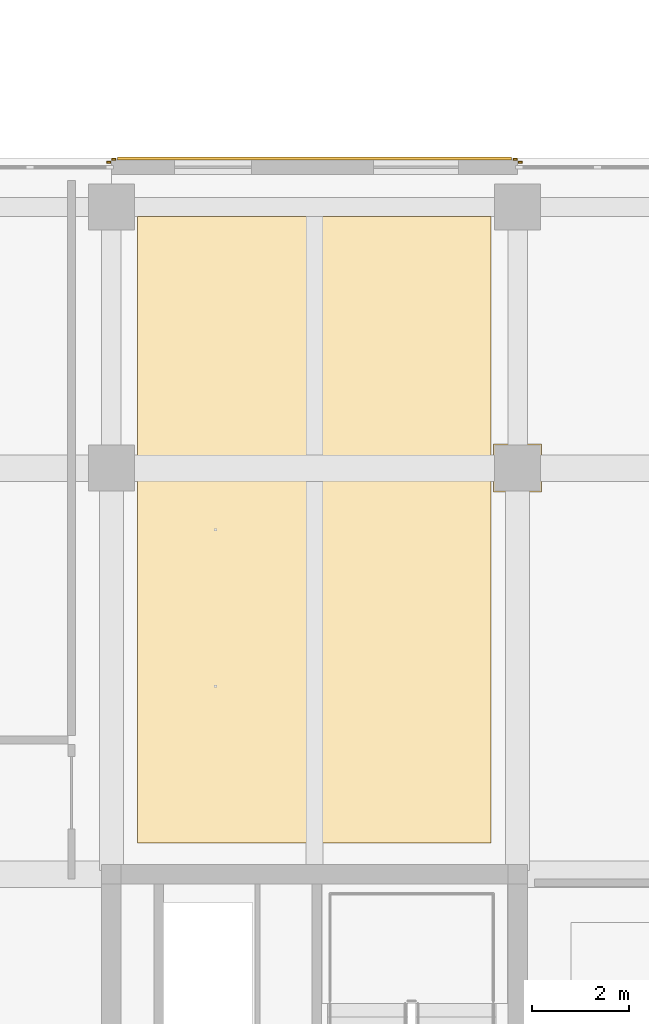
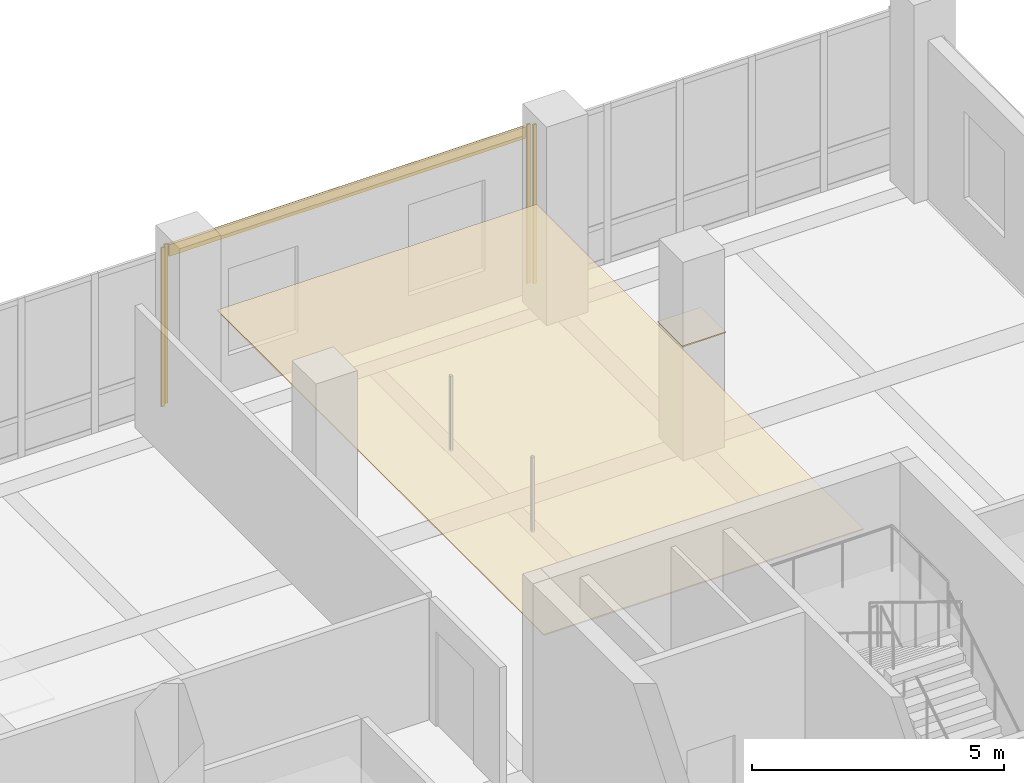
# One storey, part 115 of 128: 6 coverings.
"""IFC4 building model written with IfcOpenShell, lengths in metres."""

import ifcopenshell
import ifcopenshell.guid

model = None  # the IFC model being written
_history = None  # IfcOwnerHistory: only IFC2X3 demands one
_inside = {}  # id of a spatial element -> (the spatial element, [elements in it])
_under = {}  # id of a project, library or spatial element -> (it, [spatial elements below it])
_declared = {}  # id of a project -> (the project, [libraries it declares])
_typed = {}  # id of a type object -> (the type object, [elements of that type])
_made_of = {}  # id of a material, layer set ... -> (it, [elements and type objects made of it])


def new_model(schema):
    """Start an empty IFC model of exactly this schema.

    Asked for "IFC4X3", IfcOpenShell would pick the latest addendum, in which some entities
    have other attributes; the version numbers below select the first issue.
    IFC2X3 requires an IfcOwnerHistory on every rooted entity: one is made here for all.
    """
    global model, _history
    if schema == "IFC4X3":
        model = ifcopenshell.file(schema_version=(4, 3, 0, 0))
    else:
        model = ifcopenshell.file(schema=schema)
    _inside.clear()
    _under.clear()
    _declared.clear()
    _typed.clear()
    _made_of.clear()
    _history = None
    if model.schema == "IFC2X3":
        org = make("IfcOrganization", Name="unknown")
        user = make(
            "IfcPersonAndOrganization",
            ThePerson=make("IfcPerson", FamilyName="unknown"),
            TheOrganization=org,
        )
        app = make(
            "IfcApplication",
            ApplicationDeveloper=org,
            Version="unknown",
            ApplicationFullName="unknown",
            ApplicationIdentifier="unknown",
        )
        _history = make(
            "IfcOwnerHistory",
            OwningUser=user,
            OwningApplication=app,
            ChangeAction="ADDED",
            CreationDate=0,
        )
    return model


def make(cls, **values):
    """One entity of the class cls with the attributes given. An attribute that is None is left unset."""
    return model.create_entity(
        cls, **{name: value for name, value in values.items() if value is not None}
    )


def rooted(cls, **values):
    """An entity with a GlobalId (a new one), such as an element, a storey or a relation."""
    return make(cls, GlobalId=ifcopenshell.guid.new(), OwnerHistory=_history, **values)


def si_unit(unit_type, name, prefix=None):
    """IfcSIUnit, for example si_unit("LENGTHUNIT", "METRE", prefix="MILLI")."""
    return make("IfcSIUnit", UnitType=unit_type, Prefix=prefix, Name=name)


def assignment(units):
    """IfcUnitAssignment: the units of a project."""
    return None if units is None else make("IfcUnitAssignment", Units=units)


def point(xyz):
    """IfcCartesianPoint."""
    return None if xyz is None else make("IfcCartesianPoint", Coordinates=xyz)


def direction(xyz):
    """IfcDirection."""
    return None if xyz is None else make("IfcDirection", DirectionRatios=xyz)


def frame(location, z_axis=None, x_axis=None):
    """IfcAxis2Placement3D, a coordinate frame: its origin and axes. An axis left out is left unset."""
    return make(
        "IfcAxis2Placement3D",
        Location=point(location),
        Axis=direction(z_axis),
        RefDirection=direction(x_axis),
    )


def frame_2d(location, x_axis=None):
    """IfcAxis2Placement2D, a coordinate frame in the plane: its origin and x axis."""
    return make(
        "IfcAxis2Placement2D", Location=point(location), RefDirection=direction(x_axis)
    )


def origin():
    """The frame at (0, 0, 0) with its axes left unset."""
    return frame((0.0, 0.0, 0.0))


def origin_2d():
    """The frame at (0, 0) in the plane with its x axis left unset."""
    return frame_2d((0.0, 0.0))


def place(relative_to, where):
    """IfcLocalPlacement: puts the frame where relative to a parent placement (None: the world)."""
    return make(
        "IfcLocalPlacement", PlacementRelTo=relative_to, RelativePlacement=where
    )


def context(
    kind, dimensions, precision=None, world=None, true_north=None, identifier=None
):
    """IfcGeometricRepresentationContext, for example the 3D "Model" context."""
    return make(
        "IfcGeometricRepresentationContext",
        ContextIdentifier=identifier,
        ContextType=kind,
        CoordinateSpaceDimension=dimensions,
        Precision=precision,
        WorldCoordinateSystem=world,
        TrueNorth=true_north,
    )


def subcontext(parent, identifier, kind, view, scale=None):
    """IfcGeometricRepresentationSubContext, for example "Body" below "Model"."""
    return make(
        "IfcGeometricRepresentationSubContext",
        ContextIdentifier=identifier,
        ContextType=kind,
        ParentContext=parent,
        TargetScale=scale,
        TargetView=view,
    )


def project(units=None, contexts=None):
    """IfcProject with its units and contexts."""
    return rooted(
        "IfcProject",
        Name="project",
        RepresentationContexts=contexts,
        UnitsInContext=assignment(units),
    )


def spatial(cls, under=None, at=None, **own):
    """A site, building, storey or space (cls), placed at a placement, below another one or the project."""
    s = rooted(cls, ObjectPlacement=at, **own)
    if under is not None:
        _under.setdefault(under.id(), (under, []))[1].append(s)
    return s


def polyline(points):
    """IfcPolyline through the points."""
    return make("IfcPolyline", Points=[point(p) for p in points])


def profile(cls, at=None, kind="AREA", **sizes):
    """A parametric profile (cls). Its sizes go by their IFC names, for example OverallWidth=200.0."""
    return make(cls, ProfileType=kind, Position=at, **sizes)


def rectangle(**sizes):
    """IfcRectangleProfileDef."""
    return profile("IfcRectangleProfileDef", **sizes)


def outline(outer, holes=None, kind="AREA"):
    """IfcArbitraryClosedProfileDef: a profile drawn as a closed curve; with holes, ...WithVoids."""
    if holes is None:
        return make("IfcArbitraryClosedProfileDef", ProfileType=kind, OuterCurve=outer)
    return make(
        "IfcArbitraryProfileDefWithVoids",
        ProfileType=kind,
        OuterCurve=outer,
        InnerCurves=holes,
    )


def extrude(swept, where, along, depth):
    """IfcExtrudedAreaSolid: the profile swept, set in the frame where, extruded along a direction by depth."""
    return make(
        "IfcExtrudedAreaSolid",
        SweptArea=swept,
        Position=where,
        ExtrudedDirection=direction(along),
        Depth=depth,
    )


def shape(context_of_items, identifier, shape_type, items):
    """IfcShapeRepresentation: the items that make up one representation, for example the "Body"."""
    return make(
        "IfcShapeRepresentation",
        ContextOfItems=context_of_items,
        RepresentationIdentifier=identifier,
        RepresentationType=shape_type,
        Items=items,
    )


def material(Name=None, Category=None):
    """IfcMaterial."""
    return make("IfcMaterial", Name=Name, Category=Category)


def layer(
    of_material, thickness, ventilated=None, Name=None, Category=None, Priority=None
):
    """IfcMaterialLayer: one layer of a wall or slab, of a material (None: an air gap)."""
    return make(
        "IfcMaterialLayer",
        Material=of_material,
        LayerThickness=thickness,
        IsVentilated=ventilated,
        Name=Name,
        Category=Category,
        Priority=Priority,
    )


def layer_set(layers, Name=None):
    """IfcMaterialLayerSet."""
    return make("IfcMaterialLayerSet", MaterialLayers=layers, LayerSetName=Name)


def made_of(thing, what):
    """Note that an element or type object is made of a material, layer set ...; save() writes the relation."""
    if what is not None:
        _made_of.setdefault(what.id(), (what, []))[1].append(thing)
    return thing


def type_object(cls, material=None, **own):
    """A type object (cls), such as IfcWallType, which elements share."""
    return made_of(rooted(cls, **own), material)


def element(
    cls,
    number,
    at=None,
    inside=None,
    cuts=None,
    type_object=None,
    material=None,
    context=None,
    identifier="Body",
    shape_type=None,
    held_by="IfcProductDefinitionShape",
    body=None,
    shapes=None,
    **own,
):
    """One element of the class cls, such as IfcWall. Its Tag is "e" and its number.

    at: its placement. inside: the storey or other place that contains it. cuts: it is an
    opening in that element (IfcRelVoidsElement). A single representation is given by context,
    identifier, shape_type and body (its items); several are given by shapes. held_by: the class
    of the entity that holds the representations. save() writes the other relations.
    """
    e = rooted(cls, Tag="e%d" % number, ObjectPlacement=at, **own)
    if body is not None:
        shapes = [shape(context, identifier, shape_type, body)]
    if shapes is not None:
        e.Representation = make(held_by, Representations=shapes)
    if inside is not None:
        _inside.setdefault(inside.id(), (inside, []))[1].append(e)
    if cuts is not None:
        rooted(
            "IfcRelVoidsElement", RelatingBuildingElement=cuts, RelatedOpeningElement=e
        )
    if type_object is not None:
        _typed.setdefault(type_object.id(), (type_object, []))[1].append(e)
    return made_of(e, material)


def aggregate(whole, parts):
    """IfcRelAggregates: a whole, such as a stair, and the parts it consists of."""
    return rooted("IfcRelAggregates", RelatingObject=whole, RelatedObjects=parts)


def save(model, path):
    """Write the relations noted so far, then the file.

    IfcRelAggregates (storeys below a building ...), IfcRelContainedInSpatialStructure (elements
    in a storey), IfcRelDefinesByType, IfcRelAssociatesMaterial and IfcRelDeclares: one each for
    every whole, place, type object, material and project.
    """
    for whole, parts in _under.values():
        aggregate(whole, parts)
    for where, things in _inside.values():
        rooted(
            "IfcRelContainedInSpatialStructure",
            RelatedElements=things,
            RelatingStructure=where,
        )
    for kind, things in _typed.values():
        rooted("IfcRelDefinesByType", RelatedObjects=things, RelatingType=kind)
    for what, things in _made_of.values():
        rooted("IfcRelAssociatesMaterial", RelatedObjects=things, RelatingMaterial=what)
    for by, libraries in _declared.values():
        rooted("IfcRelDeclares", RelatingContext=by, RelatedDefinitions=libraries)
    model.write(path)


model = new_model("IFC4")

# Units and contexts
model_context = context("Model", 3, precision=1e-05, world=origin(), true_north=direction((0.0, 1.0)))
body_context = subcontext(model_context, "Body", "Model", "MODEL_VIEW")
ifc_project = project(units=[si_unit("LENGTHUNIT", "METRE"), si_unit("AREAUNIT", "SQUARE_METRE"), si_unit("VOLUMEUNIT", "CUBIC_METRE"), si_unit("PLANEANGLEUNIT", "RADIAN"), si_unit("MASSUNIT", "GRAM", prefix="KILO")], contexts=[model_context])

# Site, building, storey
site_placement = place(None, origin())
site = spatial("IfcSite", under=ifc_project, at=site_placement, CompositionType="ELEMENT")
building_placement = place(site_placement, origin())
building = spatial("IfcBuilding", under=site, at=building_placement, Name="Telukmera Botanical Conservatory", CompositionType="ELEMENT")
storey_placement = place(building_placement, frame((0.0, 0.0, 5.39990234375)))
storey = spatial("IfcBuildingStorey", under=building, at=storey_placement, Name="L01", CompositionType="ELEMENT", Elevation=5.39990234375)

# Coverings
ifc_material_1 = material(Name="Mineral fibre acoustic ceiling")
ifc_layer_1 = layer(ifc_material_1, 0.030029296875)
ifc_layer_set_1 = layer_set([ifc_layer_1], Name="Mineral fibre acoustic ceiling")
covering_type_1 = type_object("IfcCoveringType", Name="COV-CEIL-30", PredefinedType="CEILING", material=ifc_layer_set_1)
covering_1_placement = place(storey_placement, frame((0.0, 0.0, 2.77001953125)))
element("IfcCovering", 1, at=covering_1_placement, inside=storey, type_object=covering_type_1, Name="L01 Library Conservation Studio Suspended Acoustic Ceiling", PredefinedType="CEILING", context=body_context, shape_type="SweptSolid", body=[
    extrude(outline(polyline([(92.945068359375, 35.050048828125), (100.2548828125, 35.050048828125), (100.2548828125, 48.0), (92.945068359375, 48.0), (92.945068359375, 35.050048828125)]), holes=[polyline([(100.304931640625, 42.304931640625), (101.294921875, 42.304931640625), (101.294921875, 43.294921875), (100.304931640625, 43.294921875), (100.304931640625, 42.304931640625)])]), origin(), (0.0, 0.0, 1.0), 0.030029296875),
])
ifc_material_2 = material(Name="Granite-faced precast concrete C40/50", Category="masonry")
ifc_layer_2 = layer(ifc_material_2, 0.0400390625)
ifc_layer_set_2 = layer_set([ifc_layer_2], Name="Granite-faced precast concrete C40/50")
covering_type_2 = type_object("IfcCoveringType", Name="Granite Precast Column Pier Reveal Casing", PredefinedType="CLADDING", material=ifc_layer_set_2)
for number, where, z_axis, x_axis, name in (
    (2, (92.347900390625, 49.1201171875, 0.0), (0.0, 0.0, 1.0), (1.0, 0.0, 0.0), "Granite Pier Reveal V4:L01:N5 R"),
    (3, (92.451904296875, 49.18994140625, 0.0), (0.0, 0.0, 1.0), (1.0, 0.0, 0.0), "Granite Pier Reveal V4:L01:N6 L"),
    (4, (100.748046875, 49.18994140625, 0.0), (0.0, 0.0, 1.0), (1.0, 0.0, 0.0), "Granite Pier Reveal V4:L01:N6 R"),
    (5, (100.85205078125, 49.1201171875, 0.0), (0.0, 0.0, 1.0), (1.0, 0.0, 0.0), "Granite Pier Reveal V4:L01:N7 L"),
):
    element("IfcCovering", number, at=place(storey_placement, frame(where, z_axis=z_axis, x_axis=x_axis)), inside=storey, type_object=covering_type_2, Name=name, PredefinedType="CLADDING", context=body_context, shape_type="SweptSolid", body=[
        extrude(rectangle(XDim=0.080078125, YDim=0.0400390625, at=origin_2d()), origin(), (0.0, 0.0, 1.0), 3.85009765625),
    ])
ifc_material_3 = material(Name="Terracotta-faced precast concrete C40/50", Category="masonry")
ifc_layer_3 = layer(ifc_material_3, 0.06005859375)
ifc_layer_set_3 = layer_set([ifc_layer_3], Name="Terracotta-faced precast concrete C40/50")
covering_type_3 = type_object("IfcCoveringType", Name="Polychrome Terracotta Facade Band Cladding", PredefinedType="CLADDING", material=ifc_layer_set_3)
covering_2_placement = place(storey_placement, frame((96.60009765625, 49.199951171875, 3.5302734375), z_axis=(0.0, 0.0, 1.0), x_axis=(1.0, 0.0, 0.0)))
element("IfcCovering", 6, at=covering_2_placement, inside=storey, type_object=covering_type_3, Name="Polychrome Terracotta Band V4:L01:N6", PredefinedType="CLADDING", context=body_context, shape_type="SweptSolid", body=[
    extrude(rectangle(XDim=8.156005859375, YDim=0.06005859375, at=origin_2d()), origin(), (0.0, 0.0, 1.0), 0.280029296875),
])

save(model, "model.ifc")
